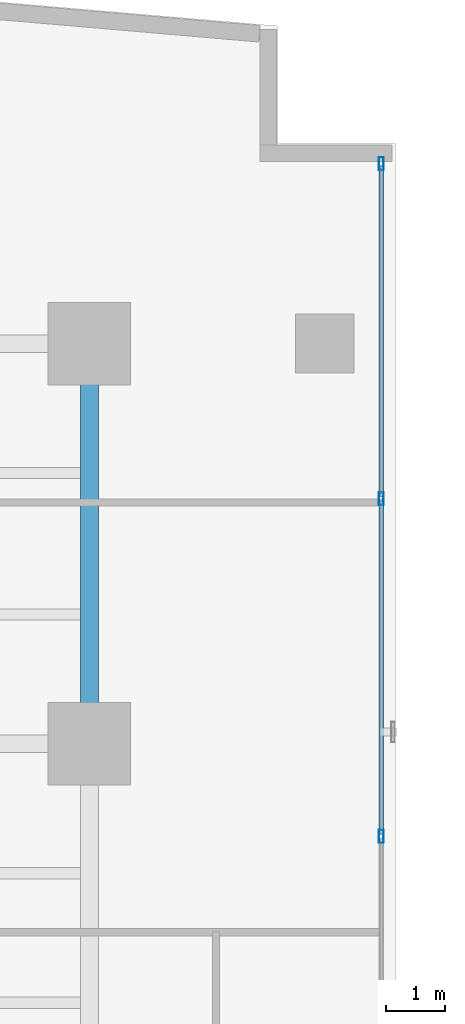
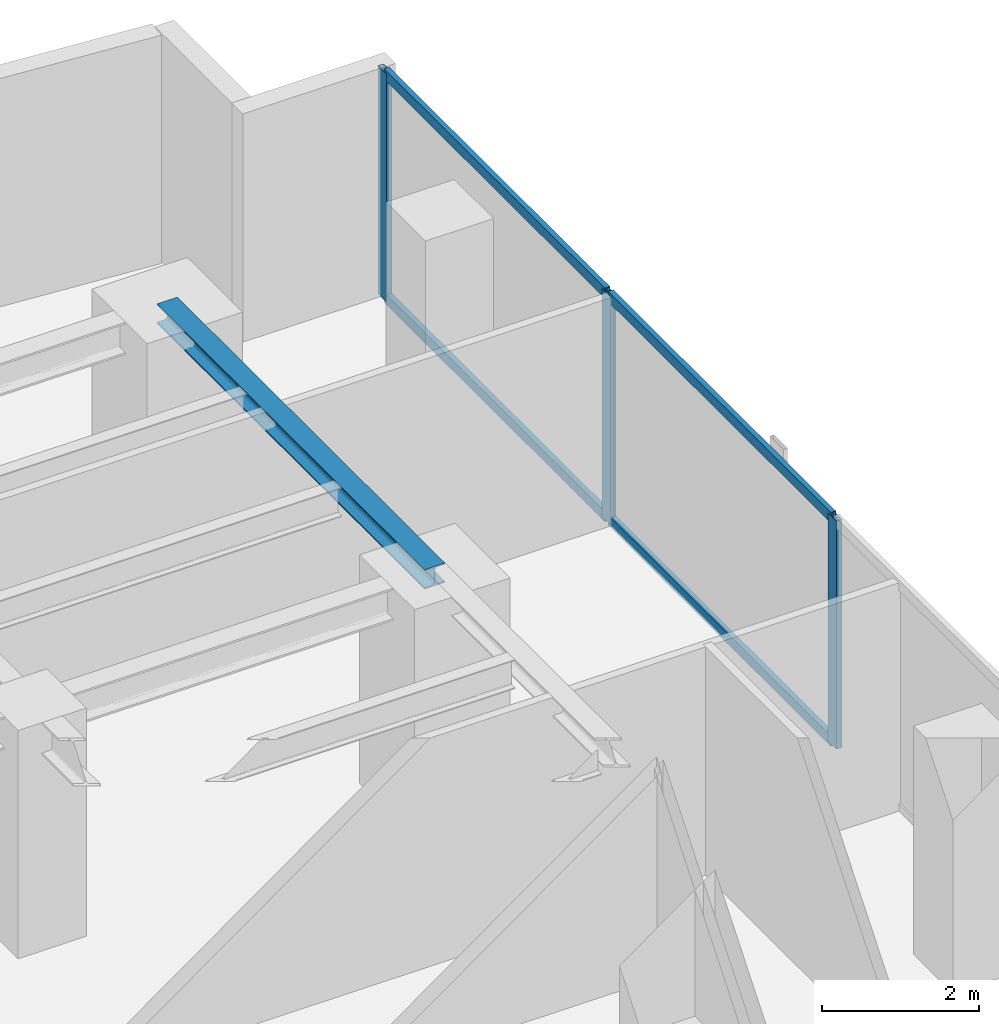
# One storey, part 19 of 29: 7 members, 1 beam, 1 element without a shape of its own.
"""IFC4 building model written with IfcOpenShell, lengths in metres."""

import ifcopenshell
import ifcopenshell.guid

model = None  # the IFC model being written
_history = None  # IfcOwnerHistory: only IFC2X3 demands one
_inside = {}  # id of a spatial element -> (the spatial element, [elements in it])
_under = {}  # id of a project, library or spatial element -> (it, [spatial elements below it])
_declared = {}  # id of a project -> (the project, [libraries it declares])
_typed = {}  # id of a type object -> (the type object, [elements of that type])
_made_of = {}  # id of a material, layer set ... -> (it, [elements and type objects made of it])


def new_model(schema):
    """Start an empty IFC model of exactly this schema.

    Asked for "IFC4X3", IfcOpenShell would pick the latest addendum, in which some entities
    have other attributes; the version numbers below select the first issue.
    IFC2X3 requires an IfcOwnerHistory on every rooted entity: one is made here for all.
    """
    global model, _history
    if schema == "IFC4X3":
        model = ifcopenshell.file(schema_version=(4, 3, 0, 0))
    else:
        model = ifcopenshell.file(schema=schema)
    _inside.clear()
    _under.clear()
    _declared.clear()
    _typed.clear()
    _made_of.clear()
    _history = None
    if model.schema == "IFC2X3":
        org = make("IfcOrganization", Name="unknown")
        user = make(
            "IfcPersonAndOrganization",
            ThePerson=make("IfcPerson", FamilyName="unknown"),
            TheOrganization=org,
        )
        app = make(
            "IfcApplication",
            ApplicationDeveloper=org,
            Version="unknown",
            ApplicationFullName="unknown",
            ApplicationIdentifier="unknown",
        )
        _history = make(
            "IfcOwnerHistory",
            OwningUser=user,
            OwningApplication=app,
            ChangeAction="ADDED",
            CreationDate=0,
        )
    return model


def make(cls, **values):
    """One entity of the class cls with the attributes given. An attribute that is None is left unset."""
    return model.create_entity(
        cls, **{name: value for name, value in values.items() if value is not None}
    )


def rooted(cls, **values):
    """An entity with a GlobalId (a new one), such as an element, a storey or a relation."""
    return make(cls, GlobalId=ifcopenshell.guid.new(), OwnerHistory=_history, **values)


def si_unit(unit_type, name, prefix=None):
    """IfcSIUnit, for example si_unit("LENGTHUNIT", "METRE", prefix="MILLI")."""
    return make("IfcSIUnit", UnitType=unit_type, Prefix=prefix, Name=name)


def assignment(units):
    """IfcUnitAssignment: the units of a project."""
    return None if units is None else make("IfcUnitAssignment", Units=units)


def point(xyz):
    """IfcCartesianPoint."""
    return None if xyz is None else make("IfcCartesianPoint", Coordinates=xyz)


def direction(xyz):
    """IfcDirection."""
    return None if xyz is None else make("IfcDirection", DirectionRatios=xyz)


def frame(location, z_axis=None, x_axis=None):
    """IfcAxis2Placement3D, a coordinate frame: its origin and axes. An axis left out is left unset."""
    return make(
        "IfcAxis2Placement3D",
        Location=point(location),
        Axis=direction(z_axis),
        RefDirection=direction(x_axis),
    )


def frame_2d(location, x_axis=None):
    """IfcAxis2Placement2D, a coordinate frame in the plane: its origin and x axis."""
    return make(
        "IfcAxis2Placement2D", Location=point(location), RefDirection=direction(x_axis)
    )


def origin():
    """The frame at (0, 0, 0) with its axes left unset."""
    return frame((0.0, 0.0, 0.0))


def origin_with_axes():
    """The frame at (0, 0, 0) with the z axis (0, 0, 1) and the x axis (1, 0, 0) written out."""
    return frame((0.0, 0.0, 0.0), z_axis=(0.0, 0.0, 1.0), x_axis=(1.0, 0.0, 0.0))


def origin_2d():
    """The frame at (0, 0) in the plane with its x axis left unset."""
    return frame_2d((0.0, 0.0))


def place(relative_to, where):
    """IfcLocalPlacement: puts the frame where relative to a parent placement (None: the world)."""
    return make(
        "IfcLocalPlacement", PlacementRelTo=relative_to, RelativePlacement=where
    )


def context(
    kind, dimensions, precision=None, world=None, true_north=None, identifier=None
):
    """IfcGeometricRepresentationContext, for example the 3D "Model" context."""
    return make(
        "IfcGeometricRepresentationContext",
        ContextIdentifier=identifier,
        ContextType=kind,
        CoordinateSpaceDimension=dimensions,
        Precision=precision,
        WorldCoordinateSystem=world,
        TrueNorth=true_north,
    )


def subcontext(parent, identifier, kind, view, scale=None):
    """IfcGeometricRepresentationSubContext, for example "Body" below "Model"."""
    return make(
        "IfcGeometricRepresentationSubContext",
        ContextIdentifier=identifier,
        ContextType=kind,
        ParentContext=parent,
        TargetScale=scale,
        TargetView=view,
    )


def project(units=None, contexts=None):
    """IfcProject with its units and contexts."""
    return rooted(
        "IfcProject",
        Name="project",
        RepresentationContexts=contexts,
        UnitsInContext=assignment(units),
    )


def spatial(cls, under=None, at=None, **own):
    """A site, building, storey or space (cls), placed at a placement, below another one or the project."""
    s = rooted(cls, ObjectPlacement=at, **own)
    if under is not None:
        _under.setdefault(under.id(), (under, []))[1].append(s)
    return s


def profile(cls, at=None, kind="AREA", **sizes):
    """A parametric profile (cls). Its sizes go by their IFC names, for example OverallWidth=200.0."""
    return make(cls, ProfileType=kind, Position=at, **sizes)


def hollow_rectangle(**sizes):
    """IfcRectangleHollowProfileDef."""
    return profile("IfcRectangleHollowProfileDef", **sizes)


def i_section(**sizes):
    """IfcIShapeProfileDef."""
    return profile("IfcIShapeProfileDef", **sizes)


def extrude(swept, where, along, depth):
    """IfcExtrudedAreaSolid: the profile swept, set in the frame where, extruded along a direction by depth."""
    return make(
        "IfcExtrudedAreaSolid",
        SweptArea=swept,
        Position=where,
        ExtrudedDirection=direction(along),
        Depth=depth,
    )


def shape(context_of_items, identifier, shape_type, items):
    """IfcShapeRepresentation: the items that make up one representation, for example the "Body"."""
    return make(
        "IfcShapeRepresentation",
        ContextOfItems=context_of_items,
        RepresentationIdentifier=identifier,
        RepresentationType=shape_type,
        Items=items,
    )


def source(mapping_origin, context_of_items, identifier, shape_type, items):
    """IfcRepresentationMap: a shape defined once, which mapped items show again and again."""
    return make(
        "IfcRepresentationMap",
        MappingOrigin=mapping_origin,
        MappedRepresentation=shape(context_of_items, identifier, shape_type, items),
    )


def transform(
    local_origin,
    x_axis=None,
    y_axis=None,
    z_axis=None,
    scale=None,
    scale2=None,
    scale3=None,
    uniform=True,
):
    """IfcCartesianTransformationOperator3D, or its non-uniform kind. x_axis, y_axis, z_axis: its Axis1, 2, 3."""
    if uniform:
        return make(
            "IfcCartesianTransformationOperator3D",
            Axis1=direction(x_axis),
            Axis2=direction(y_axis),
            LocalOrigin=point(local_origin),
            Scale=scale,
            Axis3=direction(z_axis),
        )
    return make(
        "IfcCartesianTransformationOperator3DnonUniform",
        Axis1=direction(x_axis),
        Axis2=direction(y_axis),
        LocalOrigin=point(local_origin),
        Scale=scale,
        Axis3=direction(z_axis),
        Scale2=scale2,
        Scale3=scale3,
    )


def mapped(mapping_source, mapping_target):
    """IfcMappedItem: shows the shape of a source again, moved by a transform."""
    return make(
        "IfcMappedItem", MappingSource=mapping_source, MappingTarget=mapping_target
    )


def material(Name=None, Category=None):
    """IfcMaterial."""
    return make("IfcMaterial", Name=Name, Category=Category)


def layer(
    of_material, thickness, ventilated=None, Name=None, Category=None, Priority=None
):
    """IfcMaterialLayer: one layer of a wall or slab, of a material (None: an air gap)."""
    return make(
        "IfcMaterialLayer",
        Material=of_material,
        LayerThickness=thickness,
        IsVentilated=ventilated,
        Name=Name,
        Category=Category,
        Priority=Priority,
    )


def layer_set(layers, Name=None):
    """IfcMaterialLayerSet."""
    return make("IfcMaterialLayerSet", MaterialLayers=layers, LayerSetName=Name)


def material_profile(
    of_material, cross_section, Name=None, Category=None, Priority=None
):
    """IfcMaterialProfile: a cross section and its material."""
    return make(
        "IfcMaterialProfile",
        Name=Name,
        Material=of_material,
        Profile=cross_section,
        Priority=Priority,
        Category=Category,
    )


def profile_set(profiles, Name=None, composite=None):
    """IfcMaterialProfileSet."""
    return make(
        "IfcMaterialProfileSet",
        Name=Name,
        MaterialProfiles=profiles,
        CompositeProfile=composite,
    )


def made_of(thing, what):
    """Note that an element or type object is made of a material, layer set ...; save() writes the relation."""
    if what is not None:
        _made_of.setdefault(what.id(), (what, []))[1].append(thing)
    return thing


def type_object(cls, material=None, **own):
    """A type object (cls), such as IfcWallType, which elements share."""
    return made_of(rooted(cls, **own), material)


def element(
    cls,
    number,
    at=None,
    inside=None,
    cuts=None,
    type_object=None,
    material=None,
    context=None,
    identifier="Body",
    shape_type=None,
    held_by="IfcProductDefinitionShape",
    body=None,
    shapes=None,
    **own,
):
    """One element of the class cls, such as IfcWall. Its Tag is "e" and its number.

    at: its placement. inside: the storey or other place that contains it. cuts: it is an
    opening in that element (IfcRelVoidsElement). A single representation is given by context,
    identifier, shape_type and body (its items); several are given by shapes. held_by: the class
    of the entity that holds the representations. save() writes the other relations.
    """
    e = rooted(cls, Tag="e%d" % number, ObjectPlacement=at, **own)
    if body is not None:
        shapes = [shape(context, identifier, shape_type, body)]
    if shapes is not None:
        e.Representation = make(held_by, Representations=shapes)
    if inside is not None:
        _inside.setdefault(inside.id(), (inside, []))[1].append(e)
    if cuts is not None:
        rooted(
            "IfcRelVoidsElement", RelatingBuildingElement=cuts, RelatedOpeningElement=e
        )
    if type_object is not None:
        _typed.setdefault(type_object.id(), (type_object, []))[1].append(e)
    return made_of(e, material)


def aggregate(whole, parts):
    """IfcRelAggregates: a whole, such as a stair, and the parts it consists of."""
    return rooted("IfcRelAggregates", RelatingObject=whole, RelatedObjects=parts)


def save(model, path):
    """Write the relations noted so far, then the file.

    IfcRelAggregates (storeys below a building ...), IfcRelContainedInSpatialStructure (elements
    in a storey), IfcRelDefinesByType, IfcRelAssociatesMaterial and IfcRelDeclares: one each for
    every whole, place, type object, material and project.
    """
    for whole, parts in _under.values():
        aggregate(whole, parts)
    for where, things in _inside.values():
        rooted(
            "IfcRelContainedInSpatialStructure",
            RelatedElements=things,
            RelatingStructure=where,
        )
    for kind, things in _typed.values():
        rooted("IfcRelDefinesByType", RelatedObjects=things, RelatingType=kind)
    for what, things in _made_of.values():
        rooted("IfcRelAssociatesMaterial", RelatedObjects=things, RelatingMaterial=what)
    for by, libraries in _declared.values():
        rooted("IfcRelDeclares", RelatingContext=by, RelatedDefinitions=libraries)
    model.write(path)


model = new_model("IFC4")

# Units and contexts
model_context = context("Model", 3, precision=1e-05, world=origin(), true_north=direction((0.0, 1.0)))
body_context = subcontext(model_context, "Body", "Model", "MODEL_VIEW")
ifc_project = project(units=[si_unit("LENGTHUNIT", "METRE"), si_unit("AREAUNIT", "SQUARE_METRE"), si_unit("VOLUMEUNIT", "CUBIC_METRE"), si_unit("PLANEANGLEUNIT", "RADIAN"), si_unit("MASSUNIT", "GRAM", prefix="KILO")], contexts=[model_context])

# Site, building, storey
site_placement = place(None, origin())
site = spatial("IfcSite", under=ifc_project, at=site_placement, CompositionType="ELEMENT")
building_placement = place(site_placement, origin())
building = spatial("IfcBuilding", under=site, at=building_placement, Name="Kolvaren Waterfront Exchange", CompositionType="ELEMENT")
storey_placement = place(building_placement, frame((0.0, 0.0, 129.699951171875)))
storey = spatial("IfcBuildingStorey", under=building, at=storey_placement, Name="L33", CompositionType="ELEMENT", Elevation=129.699951171875)

# Beam
ifc_material_1 = material(Name="Steel S355", Category="steel")
ifc_material_profile_1 = material_profile(ifc_material_1, i_section(OverallWidth=0.300048828125, OverallDepth=0.300048828125, WebThickness=0.010986328125, FlangeThickness=0.01904296875, FilletRadius=0.027099609375, at=origin_2d()), Name="HEB300")
ifc_profile_set_1 = profile_set([ifc_material_profile_1], Name="Steel S355")
beam_type = type_object("IfcBeamType", Name="STR-BM-HEB300", PredefinedType="SPANDREL", material=ifc_profile_set_1)
beam_placement = place(storey_placement, frame((18.800048828125, 37.800048828125, 3.39013671875), z_axis=(0.0, 1.0, 0.0), x_axis=(-1.0, 0.0, 0.0)))
element("IfcBeam", 1, at=beam_placement, inside=storey, type_object=beam_type, Name="L33 north-arm edge beam 3", PredefinedType="SPANDREL", context=body_context, shape_type="SweptSolid", body=[
    extrude(i_section(OverallWidth=0.300048828125, OverallDepth=0.300048828125, WebThickness=0.010986328125, FlangeThickness=0.01904296875, FilletRadius=0.027099609375, at=origin_2d()), origin(), (0.0, 0.0, 1.0), 6.800048828125),
])

# Curtain wall, members
ifc_material_2 = material(Name="Anodised bronze aluminium 6063-T6", Category="aluminium")
ifc_layer = layer(ifc_material_2, 0.219970703125, Name="Anodised bronze aluminium 6063-T6")
ifc_layer_set = layer_set([ifc_layer], Name="Anodised bronze aluminium 6063-T6")
curtain_wall_type = type_object("IfcCurtainWallType", Name="ARC-CW-SYS1", PredefinedType="USERDEFINED", material=ifc_layer_set)
curtain_wall_placement = place(storey_placement, origin())
curtain_wall = element("IfcCurtainWall", 2, at=curtain_wall_placement, inside=storey, type_object=curtain_wall_type, Name="L33 stick curtain wall CW1 (CW-L33-NE)", ObjectType="STICK CURTAIN WALL", PredefinedType="USERDEFINED")
ifc_material_3 = material(Name="Anodised aluminium 6063-T6", Category="aluminium")
ifc_material_profile_2 = material_profile(ifc_material_3, hollow_rectangle(XDim=0.080078125, YDim=0.219970703125, WallThickness=0.0048828125, at=origin_2d()), Name="ALU-MUL-220x80x5")
ifc_profile_set_2 = profile_set([ifc_material_profile_2], Name="Anodised aluminium 6063-T6")
member_type_1 = type_object("IfcMemberType", Name="ARC-CWM-220", PredefinedType="MULLION", material=ifc_profile_set_2)
shared_shape_1 = source(origin_with_axes(), body_context, "Body", "SweptSolid", [
    extrude(hollow_rectangle(XDim=0.080078125, YDim=0.219970703125, WallThickness=0.0048828125, at=origin_2d()), origin(), (0.0, 0.0, 1.0), 3.5400390625),
])
member_1_placement = place(storey_placement, frame((23.760009765625, 36.2265625, 0.0), z_axis=(0.0, 0.0, 1.0), x_axis=(-1.0, 0.0, 0.0)))
member_1 = element("IfcMember", 3, at=member_1_placement, type_object=member_type_1, Name="CW1 mullion 2", PredefinedType="MULLION", context=body_context, shape_type="MappedRepresentation", body=[
    mapped(shared_shape_1, transform((0.0, 0.0, 0.0), x_axis=(1.0, 0.0, 0.0), y_axis=(0.0, 1.0, 0.0), z_axis=(0.0, 0.0, 1.0), scale=1.0)),
])
member_2_placement = place(storey_placement, frame((23.760009765625, 41.96337890625, 0.0), z_axis=(0.0, 0.0, 1.0), x_axis=(-1.0, 0.0, 0.0)))
member_2 = element("IfcMember", 4, at=member_2_placement, type_object=member_type_1, Name="CW1 mullion 3", PredefinedType="MULLION", context=body_context, shape_type="MappedRepresentation", body=[
    mapped(shared_shape_1, transform((0.0, 0.0, 0.0), x_axis=(1.0, 0.0, 0.0), y_axis=(0.0, 1.0, 0.0), z_axis=(0.0, 0.0, 1.0), scale=1.0)),
])
member_3_placement = place(storey_placement, frame((23.760009765625, 47.659912109375, 0.0), z_axis=(0.0, 0.0, 1.0), x_axis=(-1.0, 0.0, 0.0)))
member_3 = element("IfcMember", 5, at=member_3_placement, type_object=member_type_1, Name="CW1 mullion 4", PredefinedType="MULLION", context=body_context, shape_type="MappedRepresentation", body=[
    mapped(shared_shape_1, transform((0.0, 0.0, 0.0), x_axis=(1.0, 0.0, 0.0), y_axis=(0.0, 1.0, 0.0), z_axis=(0.0, 0.0, 1.0), scale=1.0)),
])
ifc_material_profile_3 = material_profile(ifc_material_3, hollow_rectangle(XDim=0.074951171875, YDim=0.159912109375, WallThickness=0.00439453125, at=origin_2d()), Name="ALU-TRN-160x75x4.5")
ifc_profile_set_3 = profile_set([ifc_material_profile_3], Name="Anodised aluminium 6063-T6")
member_type_2 = type_object("IfcMemberType", Name="ARC-CWT-160", PredefinedType="USERDEFINED", material=ifc_profile_set_3)
shared_shape_2 = source(origin_with_axes(), body_context, "Body", "SweptSolid", [
    extrude(hollow_rectangle(XDim=0.074951171875, YDim=0.159912109375, WallThickness=0.00439453125, at=origin_2d()), origin(), (0.0, 0.0, 1.0), 5.61669921875),
])
member_4_placement = place(storey_placement, frame((23.760009765625, 42.00341796875, 0.03759765625), z_axis=(0.0, 1.0, 0.0), x_axis=(-1.0, 0.0, 0.0)))
member_4 = element("IfcMember", 6, at=member_4_placement, type_object=member_type_2, Name="CW1 transom 3.1", ObjectType="TRANSOM", PredefinedType="USERDEFINED", context=body_context, shape_type="MappedRepresentation", body=[
    mapped(shared_shape_2, transform((0.0, 0.0, 0.0), x_axis=(1.0, 0.0, 0.0), y_axis=(0.0, 1.0, 0.0), z_axis=(0.0, 0.0, 1.0), scale=1.0)),
])
member_5_placement = place(storey_placement, frame((23.760009765625, 42.00341796875, 3.50244140625), z_axis=(0.0, 1.0, 0.0), x_axis=(-1.0, 0.0, 0.0)))
member_5 = element("IfcMember", 7, at=member_5_placement, type_object=member_type_2, Name="CW1 transom 3.2", ObjectType="TRANSOM", PredefinedType="USERDEFINED", context=body_context, shape_type="MappedRepresentation", body=[
    mapped(shared_shape_2, transform((0.0, 0.0, 0.0), x_axis=(1.0, 0.0, 0.0), y_axis=(0.0, 1.0, 0.0), z_axis=(0.0, 0.0, 1.0), scale=1.0)),
])
shared_shape_3 = source(origin_with_axes(), body_context, "Body", "SweptSolid", [
    extrude(hollow_rectangle(XDim=0.074951171875, YDim=0.159912109375, WallThickness=0.00439453125, at=origin_2d()), origin(), (0.0, 0.0, 1.0), 5.65673828125),
])
member_6_placement = place(storey_placement, frame((23.760009765625, 36.2666015625, 0.03759765625), z_axis=(0.0, 1.0, 0.0), x_axis=(-1.0, 0.0, 0.0)))
member_6 = element("IfcMember", 8, at=member_6_placement, type_object=member_type_2, Name="CW1 transom 2.1", ObjectType="TRANSOM", PredefinedType="USERDEFINED", context=body_context, shape_type="MappedRepresentation", body=[
    mapped(shared_shape_3, transform((0.0, 0.0, 0.0), x_axis=(1.0, 0.0, 0.0), y_axis=(0.0, 1.0, 0.0), z_axis=(0.0, 0.0, 1.0), scale=1.0)),
])
member_7_placement = place(storey_placement, frame((23.760009765625, 36.2666015625, 3.50244140625), z_axis=(0.0, 1.0, 0.0), x_axis=(-1.0, 0.0, 0.0)))
member_7 = element("IfcMember", 9, at=member_7_placement, type_object=member_type_2, Name="CW1 transom 2.2", ObjectType="TRANSOM", PredefinedType="USERDEFINED", context=body_context, shape_type="MappedRepresentation", body=[
    mapped(shared_shape_3, transform((0.0, 0.0, 0.0), x_axis=(1.0, 0.0, 0.0), y_axis=(0.0, 1.0, 0.0), z_axis=(0.0, 0.0, 1.0), scale=1.0)),
])
aggregate(curtain_wall, [member_1, member_2, member_3, member_6, member_7, member_4, member_5])

save(model, "model.ifc")
